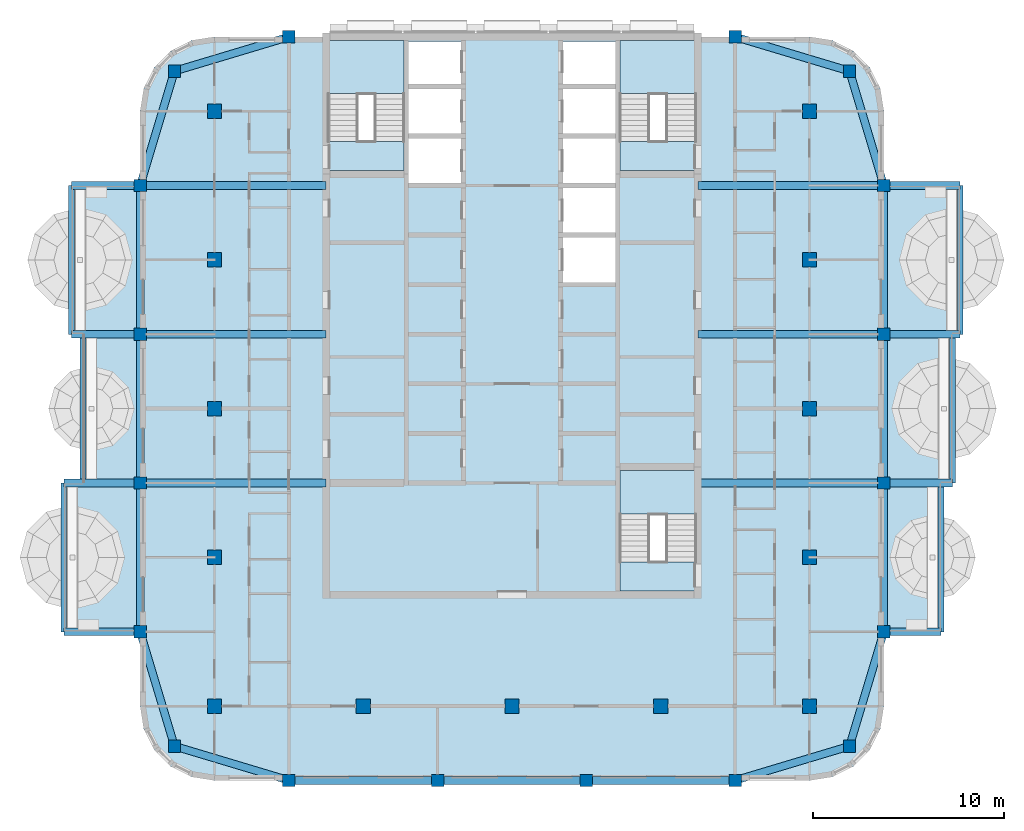
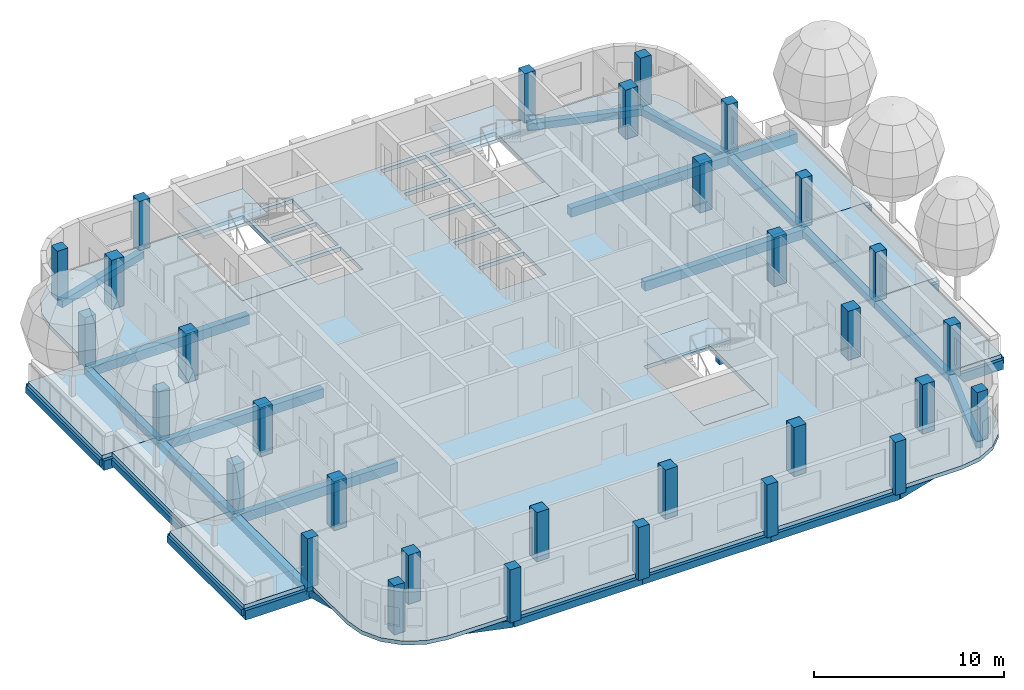
# One storey, part 1 of 13: 37 beams, 31 columns, 13 slabs, 3 elements without a shape of their own.
"""IFC4 building model written with IfcOpenShell, lengths in metres."""

import ifcopenshell
import ifcopenshell.guid

model = None  # the IFC model being written
_history = None  # IfcOwnerHistory: only IFC2X3 demands one
_inside = {}  # id of a spatial element -> (the spatial element, [elements in it])
_under = {}  # id of a project, library or spatial element -> (it, [spatial elements below it])
_declared = {}  # id of a project -> (the project, [libraries it declares])
_typed = {}  # id of a type object -> (the type object, [elements of that type])
_made_of = {}  # id of a material, layer set ... -> (it, [elements and type objects made of it])


def new_model(schema):
    """Start an empty IFC model of exactly this schema.

    Asked for "IFC4X3", IfcOpenShell would pick the latest addendum, in which some entities
    have other attributes; the version numbers below select the first issue.
    IFC2X3 requires an IfcOwnerHistory on every rooted entity: one is made here for all.
    """
    global model, _history
    if schema == "IFC4X3":
        model = ifcopenshell.file(schema_version=(4, 3, 0, 0))
    else:
        model = ifcopenshell.file(schema=schema)
    _inside.clear()
    _under.clear()
    _declared.clear()
    _typed.clear()
    _made_of.clear()
    _history = None
    if model.schema == "IFC2X3":
        org = make("IfcOrganization", Name="unknown")
        user = make(
            "IfcPersonAndOrganization",
            ThePerson=make("IfcPerson", FamilyName="unknown"),
            TheOrganization=org,
        )
        app = make(
            "IfcApplication",
            ApplicationDeveloper=org,
            Version="unknown",
            ApplicationFullName="unknown",
            ApplicationIdentifier="unknown",
        )
        _history = make(
            "IfcOwnerHistory",
            OwningUser=user,
            OwningApplication=app,
            ChangeAction="ADDED",
            CreationDate=0,
        )
    return model


def make(cls, **values):
    """One entity of the class cls with the attributes given. An attribute that is None is left unset."""
    return model.create_entity(
        cls, **{name: value for name, value in values.items() if value is not None}
    )


def rooted(cls, **values):
    """An entity with a GlobalId (a new one), such as an element, a storey or a relation."""
    return make(cls, GlobalId=ifcopenshell.guid.new(), OwnerHistory=_history, **values)


def si_unit(unit_type, name, prefix=None):
    """IfcSIUnit, for example si_unit("LENGTHUNIT", "METRE", prefix="MILLI")."""
    return make("IfcSIUnit", UnitType=unit_type, Prefix=prefix, Name=name)


def assignment(units):
    """IfcUnitAssignment: the units of a project."""
    return None if units is None else make("IfcUnitAssignment", Units=units)


def point(xyz):
    """IfcCartesianPoint."""
    return None if xyz is None else make("IfcCartesianPoint", Coordinates=xyz)


def direction(xyz):
    """IfcDirection."""
    return None if xyz is None else make("IfcDirection", DirectionRatios=xyz)


def frame(location, z_axis=None, x_axis=None):
    """IfcAxis2Placement3D, a coordinate frame: its origin and axes. An axis left out is left unset."""
    return make(
        "IfcAxis2Placement3D",
        Location=point(location),
        Axis=direction(z_axis),
        RefDirection=direction(x_axis),
    )


def frame_2d(location, x_axis=None):
    """IfcAxis2Placement2D, a coordinate frame in the plane: its origin and x axis."""
    return make(
        "IfcAxis2Placement2D", Location=point(location), RefDirection=direction(x_axis)
    )


def origin():
    """The frame at (0, 0, 0) with its axes left unset."""
    return frame((0.0, 0.0, 0.0))


def origin_2d():
    """The frame at (0, 0) in the plane with its x axis left unset."""
    return frame_2d((0.0, 0.0))


def place(relative_to, where):
    """IfcLocalPlacement: puts the frame where relative to a parent placement (None: the world)."""
    return make(
        "IfcLocalPlacement", PlacementRelTo=relative_to, RelativePlacement=where
    )


def context(
    kind, dimensions, precision=None, world=None, true_north=None, identifier=None
):
    """IfcGeometricRepresentationContext, for example the 3D "Model" context."""
    return make(
        "IfcGeometricRepresentationContext",
        ContextIdentifier=identifier,
        ContextType=kind,
        CoordinateSpaceDimension=dimensions,
        Precision=precision,
        WorldCoordinateSystem=world,
        TrueNorth=true_north,
    )


def subcontext(parent, identifier, kind, view, scale=None):
    """IfcGeometricRepresentationSubContext, for example "Body" below "Model"."""
    return make(
        "IfcGeometricRepresentationSubContext",
        ContextIdentifier=identifier,
        ContextType=kind,
        ParentContext=parent,
        TargetScale=scale,
        TargetView=view,
    )


def project(units=None, contexts=None):
    """IfcProject with its units and contexts."""
    return rooted(
        "IfcProject",
        Name="project",
        RepresentationContexts=contexts,
        UnitsInContext=assignment(units),
    )


def spatial(cls, under=None, at=None, **own):
    """A site, building, storey or space (cls), placed at a placement, below another one or the project."""
    s = rooted(cls, ObjectPlacement=at, **own)
    if under is not None:
        _under.setdefault(under.id(), (under, []))[1].append(s)
    return s


def polyline(points):
    """IfcPolyline through the points."""
    return make("IfcPolyline", Points=[point(p) for p in points])


def profile(cls, at=None, kind="AREA", **sizes):
    """A parametric profile (cls). Its sizes go by their IFC names, for example OverallWidth=200.0."""
    return make(cls, ProfileType=kind, Position=at, **sizes)


def rectangle(**sizes):
    """IfcRectangleProfileDef."""
    return profile("IfcRectangleProfileDef", **sizes)


def outline(outer, holes=None, kind="AREA"):
    """IfcArbitraryClosedProfileDef: a profile drawn as a closed curve; with holes, ...WithVoids."""
    if holes is None:
        return make("IfcArbitraryClosedProfileDef", ProfileType=kind, OuterCurve=outer)
    return make(
        "IfcArbitraryProfileDefWithVoids",
        ProfileType=kind,
        OuterCurve=outer,
        InnerCurves=holes,
    )


def extrude(swept, where, along, depth):
    """IfcExtrudedAreaSolid: the profile swept, set in the frame where, extruded along a direction by depth."""
    return make(
        "IfcExtrudedAreaSolid",
        SweptArea=swept,
        Position=where,
        ExtrudedDirection=direction(along),
        Depth=depth,
    )


def shape(context_of_items, identifier, shape_type, items):
    """IfcShapeRepresentation: the items that make up one representation, for example the "Body"."""
    return make(
        "IfcShapeRepresentation",
        ContextOfItems=context_of_items,
        RepresentationIdentifier=identifier,
        RepresentationType=shape_type,
        Items=items,
    )


def material(Name=None, Category=None):
    """IfcMaterial."""
    return make("IfcMaterial", Name=Name, Category=Category)


def layer(
    of_material, thickness, ventilated=None, Name=None, Category=None, Priority=None
):
    """IfcMaterialLayer: one layer of a wall or slab, of a material (None: an air gap)."""
    return make(
        "IfcMaterialLayer",
        Material=of_material,
        LayerThickness=thickness,
        IsVentilated=ventilated,
        Name=Name,
        Category=Category,
        Priority=Priority,
    )


def layer_set(layers, Name=None):
    """IfcMaterialLayerSet."""
    return make("IfcMaterialLayerSet", MaterialLayers=layers, LayerSetName=Name)


def material_profile(
    of_material, cross_section, Name=None, Category=None, Priority=None
):
    """IfcMaterialProfile: a cross section and its material."""
    return make(
        "IfcMaterialProfile",
        Name=Name,
        Material=of_material,
        Profile=cross_section,
        Priority=Priority,
        Category=Category,
    )


def profile_set(profiles, Name=None, composite=None):
    """IfcMaterialProfileSet."""
    return make(
        "IfcMaterialProfileSet",
        Name=Name,
        MaterialProfiles=profiles,
        CompositeProfile=composite,
    )


def made_of(thing, what):
    """Note that an element or type object is made of a material, layer set ...; save() writes the relation."""
    if what is not None:
        _made_of.setdefault(what.id(), (what, []))[1].append(thing)
    return thing


def type_object(cls, material=None, **own):
    """A type object (cls), such as IfcWallType, which elements share."""
    return made_of(rooted(cls, **own), material)


def element(
    cls,
    number,
    at=None,
    inside=None,
    cuts=None,
    type_object=None,
    material=None,
    context=None,
    identifier="Body",
    shape_type=None,
    held_by="IfcProductDefinitionShape",
    body=None,
    shapes=None,
    **own,
):
    """One element of the class cls, such as IfcWall. Its Tag is "e" and its number.

    at: its placement. inside: the storey or other place that contains it. cuts: it is an
    opening in that element (IfcRelVoidsElement). A single representation is given by context,
    identifier, shape_type and body (its items); several are given by shapes. held_by: the class
    of the entity that holds the representations. save() writes the other relations.
    """
    e = rooted(cls, Tag="e%d" % number, ObjectPlacement=at, **own)
    if body is not None:
        shapes = [shape(context, identifier, shape_type, body)]
    if shapes is not None:
        e.Representation = make(held_by, Representations=shapes)
    if inside is not None:
        _inside.setdefault(inside.id(), (inside, []))[1].append(e)
    if cuts is not None:
        rooted(
            "IfcRelVoidsElement", RelatingBuildingElement=cuts, RelatedOpeningElement=e
        )
    if type_object is not None:
        _typed.setdefault(type_object.id(), (type_object, []))[1].append(e)
    return made_of(e, material)


def aggregate(whole, parts):
    """IfcRelAggregates: a whole, such as a stair, and the parts it consists of."""
    return rooted("IfcRelAggregates", RelatingObject=whole, RelatedObjects=parts)


def save(model, path):
    """Write the relations noted so far, then the file.

    IfcRelAggregates (storeys below a building ...), IfcRelContainedInSpatialStructure (elements
    in a storey), IfcRelDefinesByType, IfcRelAssociatesMaterial and IfcRelDeclares: one each for
    every whole, place, type object, material and project.
    """
    for whole, parts in _under.values():
        aggregate(whole, parts)
    for where, things in _inside.values():
        rooted(
            "IfcRelContainedInSpatialStructure",
            RelatedElements=things,
            RelatingStructure=where,
        )
    for kind, things in _typed.values():
        rooted("IfcRelDefinesByType", RelatedObjects=things, RelatingType=kind)
    for what, things in _made_of.values():
        rooted("IfcRelAssociatesMaterial", RelatedObjects=things, RelatingMaterial=what)
    for by, libraries in _declared.values():
        rooted("IfcRelDeclares", RelatingContext=by, RelatedDefinitions=libraries)
    model.write(path)


model = new_model("IFC4")

# Units and contexts
model_context = context("Model", 3, precision=1e-05, world=origin(), true_north=direction((0.0, 1.0)))
body_context = subcontext(model_context, "Body", "Model", "MODEL_VIEW")
ifc_project = project(units=[si_unit("LENGTHUNIT", "METRE"), si_unit("AREAUNIT", "SQUARE_METRE"), si_unit("VOLUMEUNIT", "CUBIC_METRE"), si_unit("PLANEANGLEUNIT", "RADIAN"), si_unit("MASSUNIT", "GRAM", prefix="KILO")], contexts=[model_context])

# Site, building, storey
site_placement = place(None, origin())
site = spatial("IfcSite", under=ifc_project, at=site_placement, CompositionType="ELEMENT")
building_placement = place(site_placement, origin())
building = spatial("IfcBuilding", under=site, at=building_placement, Name="Ludao Terraces", CompositionType="ELEMENT")
storey_placement = place(building_placement, frame((0.0, 0.0, 259.60009765625)))
storey = spatial("IfcBuildingStorey", under=building, at=storey_placement, Name="L71", CompositionType="ELEMENT", Elevation=259.60009765625)

# Columns
ifc_material = material(Name="Concrete C40", Category="concrete")
ifc_material_profile_1 = material_profile(ifc_material, rectangle(XDim=0.64990234375, YDim=0.64990234375, at=origin_2d()), Name="650 X 650")
ifc_profile_set_1 = profile_set([ifc_material_profile_1], Name="Concrete C40")
column_type_1 = type_object("IfcColumnType", Name="RC column 650x650 C40", PredefinedType="COLUMN", material=ifc_profile_set_1)
for number, where, z_axis, x_axis, name in (
    (1, (67.300048828125, 47.300048828125, -0.25), (0.0, 0.0, 1.0), (1.0, 0.0, 0.0), "Column L71 C0057x0057"),
    (2, (102.699951171875, 47.300048828125, -0.25), (0.0, 0.0, 1.0), (1.0, 0.0, 0.0), "Column L71 C0411x0057"),
    (3, (67.300048828125, 82.699951171875, -0.25), (0.0, 0.0, 1.0), (1.0, 0.0, 0.0), "Column L71 C0057x0411"),
    (4, (102.699951171875, 82.699951171875, -0.25), (0.0, 0.0, 1.0), (1.0, 0.0, 0.0), "Column L71 C0411x0411"),
    (5, (65.5, 53.300048828125, -0.25), (0.0, 0.0, 1.0), (1.0, 0.0, 0.0), "Column L71 W0039x0117"),
    (6, (104.5, 53.300048828125, -0.25), (0.0, 0.0, 1.0), (1.0, 0.0, 0.0), "Column L71 W0429x0117"),
    (7, (73.300048828125, 45.5, -0.25), (0.0, 0.0, 1.0), (1.0, 0.0, 0.0), "Column L71 W0117x0039"),
    (8, (73.300048828125, 84.5, -0.25), (0.0, 0.0, 1.0), (1.0, 0.0, 0.0), "Column L71 W0117x0429"),
    (9, (65.5, 61.10009765625, -0.25), (0.0, 0.0, 1.0), (1.0, 0.0, 0.0), "Column L71 W0039x0195"),
    (10, (104.5, 61.10009765625, -0.25), (0.0, 0.0, 1.0), (1.0, 0.0, 0.0), "Column L71 W0429x0195"),
    (11, (81.10009765625, 45.5, -0.25), (0.0, 0.0, 1.0), (1.0, 0.0, 0.0), "Column L71 W0195x0039"),
    (12, (65.5, 68.89990234375, -0.25), (0.0, 0.0, 1.0), (1.0, 0.0, 0.0), "Column L71 W0039x0273"),
    (13, (104.5, 68.89990234375, -0.25), (0.0, 0.0, 1.0), (1.0, 0.0, 0.0), "Column L71 W0429x0273"),
    (14, (88.89990234375, 45.5, -0.25), (0.0, 0.0, 1.0), (1.0, 0.0, 0.0), "Column L71 W0273x0039"),
    (15, (65.5, 76.699951171875, -0.25), (0.0, 0.0, 1.0), (1.0, 0.0, 0.0), "Column L71 W0039x0351"),
    (16, (104.5, 76.699951171875, -0.25), (0.0, 0.0, 1.0), (1.0, 0.0, 0.0), "Column L71 W0429x0351"),
    (17, (96.699951171875, 45.5, -0.25), (0.0, 0.0, 1.0), (1.0, 0.0, 0.0), "Column L71 W0351x0039"),
    (18, (96.699951171875, 84.5, -0.25), (0.0, 0.0, 1.0), (1.0, 0.0, 0.0), "Column L71 W0351x0429"),
):
    element("IfcColumn", number, at=place(storey_placement, frame(where, z_axis=z_axis, x_axis=x_axis)), inside=storey, type_object=column_type_1, Name=name, PredefinedType="COLUMN", context=body_context, shape_type="SweptSolid", body=[
        extrude(rectangle(XDim=0.64990234375, YDim=0.64990234375, at=origin_2d()), origin(), (0.0, 0.0, 1.0), 3.39990234375),
    ])
ifc_material_profile_2 = material_profile(ifc_material, rectangle(XDim=0.75, YDim=0.75, at=origin_2d()), Name="750 X 750")
ifc_profile_set_2 = profile_set([ifc_material_profile_2], Name="Concrete C40")
column_type_2 = type_object("IfcColumnType", Name="RC column 750x750 C40", PredefinedType="COLUMN", material=ifc_profile_set_2)
for number, where, z_axis, x_axis, name in (
    (19, (69.39990234375, 49.39990234375, -0.25), (0.0, 0.0, 1.0), (1.0, 0.0, 0.0), "Column L71 S0078x0078"),
    (20, (69.39990234375, 57.199951171875, -0.25), (0.0, 0.0, 1.0), (1.0, 0.0, 0.0), "Column L71 S0078x0156"),
    (21, (69.39990234375, 65.0, -0.25), (0.0, 0.0, 1.0), (1.0, 0.0, 0.0), "Column L71 S0078x0234"),
    (22, (69.39990234375, 72.800048828125, -0.25), (0.0, 0.0, 1.0), (1.0, 0.0, 0.0), "Column L71 S0078x0312"),
    (23, (69.39990234375, 80.60009765625, -0.25), (0.0, 0.0, 1.0), (1.0, 0.0, 0.0), "Column L71 S0078x0390"),
    (24, (77.199951171875, 49.39990234375, -0.25), (0.0, 0.0, 1.0), (1.0, 0.0, 0.0), "Column L71 S0156x0078"),
    (25, (85.0, 49.39990234375, -0.25), (0.0, 0.0, 1.0), (1.0, 0.0, 0.0), "Column L71 S0234x0078"),
    (26, (92.800048828125, 49.39990234375, -0.25), (0.0, 0.0, 1.0), (1.0, 0.0, 0.0), "Column L71 S0312x0078"),
    (27, (100.60009765625, 49.39990234375, -0.25), (0.0, 0.0, 1.0), (1.0, 0.0, 0.0), "Column L71 S0390x0078"),
    (28, (100.60009765625, 57.199951171875, -0.25), (0.0, 0.0, 1.0), (1.0, 0.0, 0.0), "Column L71 S0390x0156"),
    (29, (100.60009765625, 65.0, -0.25), (0.0, 0.0, 1.0), (1.0, 0.0, 0.0), "Column L71 S0390x0234"),
    (30, (100.60009765625, 72.800048828125, -0.25), (0.0, 0.0, 1.0), (1.0, 0.0, 0.0), "Column L71 S0390x0312"),
    (31, (100.60009765625, 80.60009765625, -0.25), (0.0, 0.0, 1.0), (1.0, 0.0, 0.0), "Column L71 S0390x0390"),
):
    element("IfcColumn", number, at=place(storey_placement, frame(where, z_axis=z_axis, x_axis=x_axis)), inside=storey, type_object=column_type_2, Name=name, PredefinedType="COLUMN", context=body_context, shape_type="SweptSolid", body=[
        extrude(rectangle(XDim=0.75, YDim=0.75, at=origin_2d()), origin(), (0.0, 0.0, 1.0), 3.39990234375),
    ])

# Beams
ifc_material_profile_3 = material_profile(ifc_material, rectangle(XDim=0.300048828125, YDim=0.39990234375, at=origin_2d()), Name="300 X 400")
ifc_profile_set_3 = profile_set([ifc_material_profile_3], Name="Concrete C40")
beam_type_1 = type_object("IfcBeamType", Name="RC beam 300x400 C40", PredefinedType="BEAM", material=ifc_profile_set_3)
beam_1_placement = place(storey_placement, frame((107.5, 53.300048828125, -0.4501953125), z_axis=(0.0, 1.0, 0.0), x_axis=(-1.0, 0.0, 0.0)))
element("IfcBeam", 32, at=beam_1_placement, inside=storey, type_object=beam_type_1, Name="Balcony edge beam L71 E1", PredefinedType="BEAM", context=body_context, shape_type="SweptSolid", body=[
    extrude(rectangle(XDim=0.300048828125, YDim=0.39990234375, at=origin_2d()), origin(), (0.0, 0.0, 1.0), 7.800048828125),
])
beam_2_placement = place(storey_placement, frame((108.10009765625, 61.10009765625, -0.4501953125), z_axis=(0.0, 1.0, 0.0), x_axis=(-1.0, 0.0, 0.0)))
element("IfcBeam", 33, at=beam_2_placement, inside=storey, type_object=beam_type_1, Name="Balcony edge beam L71 E2", PredefinedType="BEAM", context=body_context, shape_type="SweptSolid", body=[
    extrude(rectangle(XDim=0.300048828125, YDim=0.39990234375, at=origin_2d()), origin(), (0.0, 0.0, 1.0), 7.7998046875),
])
for number, where, z_axis, x_axis, name in (
    (34, (108.5, 68.89990234375, -0.4501953125), (0.0, 1.0, 0.0), (-1.0, 0.0, 0.0), "Balcony edge beam L71 E3"),
    (35, (61.5, 53.300048828125, -0.4501953125), (0.0, 1.0, 0.0), (-1.0, 0.0, 0.0), "Balcony edge beam L71 W1"),
):
    element("IfcBeam", number, at=place(storey_placement, frame(where, z_axis=z_axis, x_axis=x_axis)), inside=storey, type_object=beam_type_1, Name=name, PredefinedType="BEAM", context=body_context, shape_type="SweptSolid", body=[
        extrude(rectangle(XDim=0.300048828125, YDim=0.39990234375, at=origin_2d()), origin(), (0.0, 0.0, 1.0), 7.800048828125),
    ])
beam_3_placement = place(storey_placement, frame((62.5, 61.10009765625, -0.4501953125), z_axis=(0.0, 1.0, 0.0), x_axis=(-1.0, 0.0, 0.0)))
element("IfcBeam", 36, at=beam_3_placement, inside=storey, type_object=beam_type_1, Name="Balcony edge beam L71 W2", PredefinedType="BEAM", context=body_context, shape_type="SweptSolid", body=[
    extrude(rectangle(XDim=0.300048828125, YDim=0.39990234375, at=origin_2d()), origin(), (0.0, 0.0, 1.0), 7.7998046875),
])
beam_4_placement = place(storey_placement, frame((61.89990234375, 68.89990234375, -0.4501953125), z_axis=(0.0, 1.0, 0.0), x_axis=(-1.0, 0.0, 0.0)))
element("IfcBeam", 37, at=beam_4_placement, inside=storey, type_object=beam_type_1, Name="Balcony edge beam L71 W3", PredefinedType="BEAM", context=body_context, shape_type="SweptSolid", body=[
    extrude(rectangle(XDim=0.300048828125, YDim=0.39990234375, at=origin_2d()), origin(), (0.0, 0.0, 1.0), 7.800048828125),
])
ifc_material_profile_4 = material_profile(ifc_material, rectangle(XDim=0.39990234375, YDim=0.449951171875, at=origin_2d()), Name="400 X 450")
ifc_profile_set_4 = profile_set([ifc_material_profile_4], Name="Concrete C40")
beam_type_2 = type_object("IfcBeamType", Name="RC beam 400x450 C40", PredefinedType="BEAM", material=ifc_profile_set_4)
beam_5_placement = place(storey_placement, frame((67.300048828125, 47.300048828125, -0.47509765625), z_axis=(0.957824139839, -0.287355036744, 0.0), x_axis=(0.287355036744, 0.957824139839, 0.0)))
element("IfcBeam", 38, at=beam_5_placement, inside=storey, type_object=beam_type_2, Name="Spandrel beam L71 S1", PredefinedType="BEAM", context=body_context, shape_type="SweptSolid", body=[
    extrude(rectangle(XDim=0.39990234375, YDim=0.449951171875, at=origin_2d()), origin(), (0.0, 0.0, 1.0), 6.26416015625),
])
beam_6_placement = place(storey_placement, frame((73.300048828125, 45.5, -0.47509765625), z_axis=(1.0, 0.0, 0.0), x_axis=(0.0, 1.0, 0.0)))
element("IfcBeam", 39, at=beam_6_placement, inside=storey, type_object=beam_type_2, Name="Spandrel beam L71 S2", PredefinedType="BEAM", context=body_context, shape_type="SweptSolid", body=[
    extrude(rectangle(XDim=0.39990234375, YDim=0.449951171875, at=origin_2d()), origin(), (0.0, 0.0, 1.0), 7.800048828125),
])
beam_7_placement = place(storey_placement, frame((81.10009765625, 45.5, -0.47509765625), z_axis=(1.0, 0.0, 0.0), x_axis=(0.0, 1.0, 0.0)))
element("IfcBeam", 40, at=beam_7_placement, inside=storey, type_object=beam_type_2, Name="Spandrel beam L71 S3", PredefinedType="BEAM", context=body_context, shape_type="SweptSolid", body=[
    extrude(rectangle(XDim=0.39990234375, YDim=0.449951171875, at=origin_2d()), origin(), (0.0, 0.0, 1.0), 7.7998046875),
])
beam_8_placement = place(storey_placement, frame((88.89990234375, 45.5, -0.47509765625), z_axis=(1.0, 0.0, 0.0), x_axis=(0.0, 1.0, 0.0)))
element("IfcBeam", 41, at=beam_8_placement, inside=storey, type_object=beam_type_2, Name="Spandrel beam L71 S4", PredefinedType="BEAM", context=body_context, shape_type="SweptSolid", body=[
    extrude(rectangle(XDim=0.39990234375, YDim=0.449951171875, at=origin_2d()), origin(), (0.0, 0.0, 1.0), 7.800048828125),
])
for number, where, z_axis, x_axis, name in (
    (42, (96.699951171875, 45.5, -0.47509765625), (0.957824139839, 0.287355036744, 0.0), (-0.287355036744, 0.957824139839, 0.0), "Spandrel beam L71 S5"),
    (43, (67.300048828125, 82.699951171875, -0.47509765625), (0.957824139839, 0.287355036744, 0.0), (-0.287355036744, 0.957824139839, 0.0), "Spandrel beam L71 N6"),
    (44, (96.699951171875, 84.5, -0.47509765625), (0.957824139839, -0.287355036744, 0.0), (0.287355036744, 0.957824139839, 0.0), "Spandrel beam L71 N7"),
    (45, (67.300048828125, 47.300048828125, -0.47509765625), (-0.287355036744, 0.957824139839, 0.0), (-0.957824139839, -0.287355036744, 0.0), "Spandrel beam L71 W8"),
):
    element("IfcBeam", number, at=place(storey_placement, frame(where, z_axis=z_axis, x_axis=x_axis)), inside=storey, type_object=beam_type_2, Name=name, PredefinedType="BEAM", context=body_context, shape_type="SweptSolid", body=[
        extrude(rectangle(XDim=0.39990234375, YDim=0.449951171875, at=origin_2d()), origin(), (0.0, 0.0, 1.0), 6.26416015625),
    ])
beam_9_placement = place(storey_placement, frame((65.5, 53.300048828125, -0.47509765625), z_axis=(0.0, 1.0, 0.0), x_axis=(-1.0, 0.0, 0.0)))
element("IfcBeam", 46, at=beam_9_placement, inside=storey, type_object=beam_type_2, Name="Spandrel beam L71 W9", PredefinedType="BEAM", context=body_context, shape_type="SweptSolid", body=[
    extrude(rectangle(XDim=0.39990234375, YDim=0.449951171875, at=origin_2d()), origin(), (0.0, 0.0, 1.0), 7.800048828125),
])
beam_10_placement = place(storey_placement, frame((65.5, 61.10009765625, -0.47509765625), z_axis=(0.0, 1.0, 0.0), x_axis=(-1.0, 0.0, 0.0)))
element("IfcBeam", 47, at=beam_10_placement, inside=storey, type_object=beam_type_2, Name="Spandrel beam L71 W10", PredefinedType="BEAM", context=body_context, shape_type="SweptSolid", body=[
    extrude(rectangle(XDim=0.39990234375, YDim=0.449951171875, at=origin_2d()), origin(), (0.0, 0.0, 1.0), 7.7998046875),
])
beam_11_placement = place(storey_placement, frame((65.5, 68.89990234375, -0.47509765625), z_axis=(0.0, 1.0, 0.0), x_axis=(-1.0, 0.0, 0.0)))
element("IfcBeam", 48, at=beam_11_placement, inside=storey, type_object=beam_type_2, Name="Spandrel beam L71 W11", PredefinedType="BEAM", context=body_context, shape_type="SweptSolid", body=[
    extrude(rectangle(XDim=0.39990234375, YDim=0.449951171875, at=origin_2d()), origin(), (0.0, 0.0, 1.0), 7.800048828125),
])
for number, where, z_axis, x_axis, name in (
    (49, (65.5, 76.699951171875, -0.47509765625), (0.287355036744, 0.957824139839, 0.0), (-0.957824139839, 0.287355036744, 0.0), "Spandrel beam L71 W12"),
    (50, (102.699951171875, 47.300048828125, -0.47509765625), (0.287355036744, 0.957824139839, 0.0), (-0.957824139839, 0.287355036744, 0.0), "Spandrel beam L71 E13"),
):
    element("IfcBeam", number, at=place(storey_placement, frame(where, z_axis=z_axis, x_axis=x_axis)), inside=storey, type_object=beam_type_2, Name=name, PredefinedType="BEAM", context=body_context, shape_type="SweptSolid", body=[
        extrude(rectangle(XDim=0.39990234375, YDim=0.449951171875, at=origin_2d()), origin(), (0.0, 0.0, 1.0), 6.26416015625),
    ])
beam_12_placement = place(storey_placement, frame((104.5, 53.300048828125, -0.47509765625), z_axis=(0.0, 1.0, 0.0), x_axis=(-1.0, 0.0, 0.0)))
element("IfcBeam", 51, at=beam_12_placement, inside=storey, type_object=beam_type_2, Name="Spandrel beam L71 E14", PredefinedType="BEAM", context=body_context, shape_type="SweptSolid", body=[
    extrude(rectangle(XDim=0.39990234375, YDim=0.449951171875, at=origin_2d()), origin(), (0.0, 0.0, 1.0), 7.800048828125),
])
beam_13_placement = place(storey_placement, frame((104.5, 61.10009765625, -0.47509765625), z_axis=(0.0, 1.0, 0.0), x_axis=(-1.0, 0.0, 0.0)))
element("IfcBeam", 52, at=beam_13_placement, inside=storey, type_object=beam_type_2, Name="Spandrel beam L71 E15", PredefinedType="BEAM", context=body_context, shape_type="SweptSolid", body=[
    extrude(rectangle(XDim=0.39990234375, YDim=0.449951171875, at=origin_2d()), origin(), (0.0, 0.0, 1.0), 7.7998046875),
])
beam_14_placement = place(storey_placement, frame((104.5, 68.89990234375, -0.47509765625), z_axis=(0.0, 1.0, 0.0), x_axis=(-1.0, 0.0, 0.0)))
element("IfcBeam", 53, at=beam_14_placement, inside=storey, type_object=beam_type_2, Name="Spandrel beam L71 E16", PredefinedType="BEAM", context=body_context, shape_type="SweptSolid", body=[
    extrude(rectangle(XDim=0.39990234375, YDim=0.449951171875, at=origin_2d()), origin(), (0.0, 0.0, 1.0), 7.800048828125),
])
beam_15_placement = place(storey_placement, frame((104.5, 76.699951171875, -0.47509765625), z_axis=(-0.287355036744, 0.957824139839, 0.0), x_axis=(-0.957824139839, -0.287355036744, 0.0)))
element("IfcBeam", 54, at=beam_15_placement, inside=storey, type_object=beam_type_2, Name="Spandrel beam L71 E17", PredefinedType="BEAM", context=body_context, shape_type="SweptSolid", body=[
    extrude(rectangle(XDim=0.39990234375, YDim=0.449951171875, at=origin_2d()), origin(), (0.0, 0.0, 1.0), 6.26416015625),
])
ifc_material_profile_5 = material_profile(ifc_material, rectangle(XDim=0.39990234375, YDim=0.60009765625, at=origin_2d()), Name="400 X 600")
ifc_profile_set_5 = profile_set([ifc_material_profile_5], Name="Concrete C40")
beam_type_3 = type_object("IfcBeamType", Name="RC beam 400x600 C40", PredefinedType="BEAM", material=ifc_profile_set_5)
beam_16_placement = place(storey_placement, frame((104.5, 53.300048828125, -0.550048828125), z_axis=(1.0, 0.0, 0.0), x_axis=(0.0, 1.0, 0.0)))
element("IfcBeam", 55, at=beam_16_placement, inside=storey, type_object=beam_type_3, Name="Balcony beam L71 E533", PredefinedType="BEAM", context=body_context, shape_type="SweptSolid", body=[
    extrude(rectangle(XDim=0.39990234375, YDim=0.60009765625, at=origin_2d()), origin(), (0.0, 0.0, 1.0), 3.0),
])
beam_17_placement = place(storey_placement, frame((94.75, 61.10009765625, -0.550048828125), z_axis=(1.0, 0.0, 0.0), x_axis=(0.0, 1.0, 0.0)))
element("IfcBeam", 56, at=beam_17_placement, inside=storey, type_object=beam_type_3, Name="Balcony beam L71 E611", PredefinedType="BEAM", context=body_context, shape_type="SweptSolid", body=[
    extrude(rectangle(XDim=0.39990234375, YDim=0.60009765625, at=origin_2d()), origin(), (0.0, 0.0, 1.0), 9.75),
])
beam_18_placement = place(storey_placement, frame((104.5, 61.10009765625, -0.550048828125), z_axis=(1.0, 0.0, 0.0), x_axis=(0.0, 1.0, 0.0)))
element("IfcBeam", 57, at=beam_18_placement, inside=storey, type_object=beam_type_3, Name="Balcony beam L71 E611", PredefinedType="BEAM", context=body_context, shape_type="SweptSolid", body=[
    extrude(rectangle(XDim=0.39990234375, YDim=0.60009765625, at=origin_2d()), origin(), (0.0, 0.0, 1.0), 3.60009765625),
])
beam_19_placement = place(storey_placement, frame((94.75, 68.89990234375, -0.550048828125), z_axis=(1.0, 0.0, 0.0), x_axis=(0.0, 1.0, 0.0)))
element("IfcBeam", 58, at=beam_19_placement, inside=storey, type_object=beam_type_3, Name="Balcony beam L71 E689", PredefinedType="BEAM", context=body_context, shape_type="SweptSolid", body=[
    extrude(rectangle(XDim=0.39990234375, YDim=0.60009765625, at=origin_2d()), origin(), (0.0, 0.0, 1.0), 9.75),
])
beam_20_placement = place(storey_placement, frame((104.5, 68.89990234375, -0.550048828125), z_axis=(1.0, 0.0, 0.0), x_axis=(0.0, 1.0, 0.0)))
element("IfcBeam", 59, at=beam_20_placement, inside=storey, type_object=beam_type_3, Name="Balcony beam L71 E689", PredefinedType="BEAM", context=body_context, shape_type="SweptSolid", body=[
    extrude(rectangle(XDim=0.39990234375, YDim=0.60009765625, at=origin_2d()), origin(), (0.0, 0.0, 1.0), 4.0),
])
beam_21_placement = place(storey_placement, frame((94.75, 76.699951171875, -0.550048828125), z_axis=(1.0, 0.0, 0.0), x_axis=(0.0, 1.0, 0.0)))
element("IfcBeam", 60, at=beam_21_placement, inside=storey, type_object=beam_type_3, Name="Balcony beam L71 E767", PredefinedType="BEAM", context=body_context, shape_type="SweptSolid", body=[
    extrude(rectangle(XDim=0.39990234375, YDim=0.60009765625, at=origin_2d()), origin(), (0.0, 0.0, 1.0), 9.75),
])
for number, where, z_axis, x_axis, name in (
    (61, (104.5, 76.699951171875, -0.550048828125), (1.0, 0.0, 0.0), (0.0, 1.0, 0.0), "Balcony beam L71 E767"),
    (62, (65.5, 53.300048828125, -0.550048828125), (-1.0, 0.0, 0.0), (0.0, -1.0, 0.0), "Balcony beam L71 W533"),
):
    element("IfcBeam", number, at=place(storey_placement, frame(where, z_axis=z_axis, x_axis=x_axis)), inside=storey, type_object=beam_type_3, Name=name, PredefinedType="BEAM", context=body_context, shape_type="SweptSolid", body=[
        extrude(rectangle(XDim=0.39990234375, YDim=0.60009765625, at=origin_2d()), origin(), (0.0, 0.0, 1.0), 4.0),
    ])
beam_22_placement = place(storey_placement, frame((75.25, 61.10009765625, -0.550048828125), z_axis=(-1.0, 0.0, 0.0), x_axis=(0.0, -1.0, 0.0)))
element("IfcBeam", 63, at=beam_22_placement, inside=storey, type_object=beam_type_3, Name="Balcony beam L71 W611", PredefinedType="BEAM", context=body_context, shape_type="SweptSolid", body=[
    extrude(rectangle(XDim=0.39990234375, YDim=0.60009765625, at=origin_2d()), origin(), (0.0, 0.0, 1.0), 9.75),
])
beam_23_placement = place(storey_placement, frame((65.5, 61.10009765625, -0.550048828125), z_axis=(-1.0, 0.0, 0.0), x_axis=(0.0, -1.0, 0.0)))
element("IfcBeam", 64, at=beam_23_placement, inside=storey, type_object=beam_type_3, Name="Balcony beam L71 W611", PredefinedType="BEAM", context=body_context, shape_type="SweptSolid", body=[
    extrude(rectangle(XDim=0.39990234375, YDim=0.60009765625, at=origin_2d()), origin(), (0.0, 0.0, 1.0), 4.0),
])
beam_24_placement = place(storey_placement, frame((75.25, 68.89990234375, -0.550048828125), z_axis=(-1.0, 0.0, 0.0), x_axis=(0.0, -1.0, 0.0)))
element("IfcBeam", 65, at=beam_24_placement, inside=storey, type_object=beam_type_3, Name="Balcony beam L71 W689", PredefinedType="BEAM", context=body_context, shape_type="SweptSolid", body=[
    extrude(rectangle(XDim=0.39990234375, YDim=0.60009765625, at=origin_2d()), origin(), (0.0, 0.0, 1.0), 9.75),
])
beam_25_placement = place(storey_placement, frame((65.5, 68.89990234375, -0.550048828125), z_axis=(-1.0, 0.0, 0.0), x_axis=(0.0, -1.0, 0.0)))
element("IfcBeam", 66, at=beam_25_placement, inside=storey, type_object=beam_type_3, Name="Balcony beam L71 W689", PredefinedType="BEAM", context=body_context, shape_type="SweptSolid", body=[
    extrude(rectangle(XDim=0.39990234375, YDim=0.60009765625, at=origin_2d()), origin(), (0.0, 0.0, 1.0), 3.60009765625),
])
beam_26_placement = place(storey_placement, frame((75.25, 76.699951171875, -0.550048828125), z_axis=(-1.0, 0.0, 0.0), x_axis=(0.0, -1.0, 0.0)))
element("IfcBeam", 67, at=beam_26_placement, inside=storey, type_object=beam_type_3, Name="Balcony beam L71 W767", PredefinedType="BEAM", context=body_context, shape_type="SweptSolid", body=[
    extrude(rectangle(XDim=0.39990234375, YDim=0.60009765625, at=origin_2d()), origin(), (0.0, 0.0, 1.0), 9.75),
])
beam_27_placement = place(storey_placement, frame((65.5, 76.699951171875, -0.550048828125), z_axis=(-1.0, 0.0, 0.0), x_axis=(0.0, -1.0, 0.0)))
element("IfcBeam", 68, at=beam_27_placement, inside=storey, type_object=beam_type_3, Name="Balcony beam L71 W767", PredefinedType="BEAM", context=body_context, shape_type="SweptSolid", body=[
    extrude(rectangle(XDim=0.39990234375, YDim=0.60009765625, at=origin_2d()), origin(), (0.0, 0.0, 1.0), 3.60009765625),
])

# Slabs
ifc_layer_1 = layer(ifc_material, 0.25)
ifc_layer_set_1 = layer_set([ifc_layer_1], Name="Balcony slab 250 C40")
slab_type_1 = type_object("IfcSlabType", Name="Balcony slab 250 C40", PredefinedType="USERDEFINED", material=ifc_layer_set_1)
slab_1_placement = place(storey_placement, frame((0.0, 0.0, -0.25)))
element("IfcSlab", 69, at=slab_1_placement, inside=storey, type_object=slab_type_1, Name="Balcony L71 E1", ObjectType="BALCONY", PredefinedType="USERDEFINED", context=body_context, shape_type="SweptSolid", body=[
    extrude(outline(polyline([(104.5, 53.300048828125), (107.5, 53.300048828125), (107.5, 61.10009765625), (104.5, 61.10009765625), (104.5, 53.300048828125)])), origin(), (0.0, 0.0, 1.0), 0.25),
])
slab_2_placement = place(storey_placement, frame((0.0, 0.0, -0.25)))
element("IfcSlab", 70, at=slab_2_placement, inside=storey, type_object=slab_type_1, Name="Balcony L71 E2", ObjectType="BALCONY", PredefinedType="USERDEFINED", context=body_context, shape_type="SweptSolid", body=[
    extrude(outline(polyline([(104.5, 61.10009765625), (108.10009765625, 61.10009765625), (108.10009765625, 68.89990234375), (104.5, 68.89990234375), (104.5, 61.10009765625)])), origin(), (0.0, 0.0, 1.0), 0.25),
])
slab_3_placement = place(storey_placement, frame((0.0, 0.0, -0.25)))
element("IfcSlab", 71, at=slab_3_placement, inside=storey, type_object=slab_type_1, Name="Balcony L71 E3", ObjectType="BALCONY", PredefinedType="USERDEFINED", context=body_context, shape_type="SweptSolid", body=[
    extrude(outline(polyline([(104.5, 68.89990234375), (108.5, 68.89990234375), (108.5, 76.699951171875), (104.5, 76.699951171875), (104.5, 68.89990234375)])), origin(), (0.0, 0.0, 1.0), 0.25),
])
slab_4_placement = place(storey_placement, frame((0.0, 0.0, -0.25)))
element("IfcSlab", 72, at=slab_4_placement, inside=storey, type_object=slab_type_1, Name="Balcony L71 W1", ObjectType="BALCONY", PredefinedType="USERDEFINED", context=body_context, shape_type="SweptSolid", body=[
    extrude(outline(polyline([(61.5, 53.300048828125), (65.5, 53.300048828125), (65.5, 61.10009765625), (61.5, 61.10009765625), (61.5, 53.300048828125)])), origin(), (0.0, 0.0, 1.0), 0.25),
])
slab_5_placement = place(storey_placement, frame((0.0, 0.0, -0.25)))
element("IfcSlab", 73, at=slab_5_placement, inside=storey, type_object=slab_type_1, Name="Balcony L71 W2", ObjectType="BALCONY", PredefinedType="USERDEFINED", context=body_context, shape_type="SweptSolid", body=[
    extrude(outline(polyline([(62.5, 61.10009765625), (65.5, 61.10009765625), (65.5, 68.89990234375), (62.5, 68.89990234375), (62.5, 61.10009765625)])), origin(), (0.0, 0.0, 1.0), 0.25),
])
slab_6_placement = place(storey_placement, frame((0.0, 0.0, -0.25)))
element("IfcSlab", 74, at=slab_6_placement, inside=storey, type_object=slab_type_1, Name="Balcony L71 W3", ObjectType="BALCONY", PredefinedType="USERDEFINED", context=body_context, shape_type="SweptSolid", body=[
    extrude(outline(polyline([(61.89990234375, 68.89990234375), (65.5, 68.89990234375), (65.5, 76.699951171875), (61.89990234375, 76.699951171875), (61.89990234375, 68.89990234375)])), origin(), (0.0, 0.0, 1.0), 0.25),
])
ifc_layer_2 = layer(ifc_material, 0.25)
ifc_layer_set_2 = layer_set([ifc_layer_2], Name="Floor slab 250 C40")
slab_type_2 = type_object("IfcSlabType", Name="Floor slab 250 C40", PredefinedType="FLOOR", material=ifc_layer_set_2)
slab_7_placement = place(storey_placement, frame((0.0, 0.0, -0.25)))
element("IfcSlab", 75, at=slab_7_placement, inside=storey, type_object=slab_type_2, Name="Slab L71", PredefinedType="FLOOR", context=body_context, shape_type="SweptSolid", body=[
    extrude(outline(polyline([(100.60009765625, 45.5), (101.80517578125, 45.69091796875), (102.892333984375, 46.244873046875), (103.755126953125, 47.107666015625), (104.30908203125, 48.19482421875), (104.5, 49.39990234375), (104.5, 80.60009765625), (104.30908203125, 81.80517578125), (103.755126953125, 82.892333984375), (102.892333984375, 83.755126953125), (101.80517578125, 84.30908203125), (100.60009765625, 84.5), (69.39990234375, 84.5), (68.19482421875, 84.30908203125), (67.107666015625, 83.755126953125), (66.244873046875, 82.892333984375), (65.69091796875, 81.80517578125), (65.5, 80.60009765625), (65.5, 49.39990234375), (65.69091796875, 48.19482421875), (66.244873046875, 47.107666015625), (67.107666015625, 46.244873046875), (68.19482421875, 45.69091796875), (69.39990234375, 45.5), (100.60009765625, 45.5)]), holes=[polyline([(79.574951171875, 76.824951171875), (82.324951171875, 76.824951171875), (82.324951171875, 79.175048828125), (79.574951171875, 79.175048828125), (79.574951171875, 76.824951171875)]), polyline([(79.574951171875, 79.425048828125), (82.324951171875, 79.425048828125), (82.324951171875, 81.77490234375), (79.574951171875, 81.77490234375), (79.574951171875, 79.425048828125)]), polyline([(79.574951171875, 82.02490234375), (82.324951171875, 82.02490234375), (82.324951171875, 84.239990234375), (79.574951171875, 84.239990234375), (79.574951171875, 82.02490234375)]), polyline([(87.675048828125, 71.625), (90.425048828125, 71.625), (90.425048828125, 73.97509765625), (87.675048828125, 73.97509765625), (87.675048828125, 71.625)]), polyline([(87.675048828125, 74.22509765625), (90.425048828125, 74.22509765625), (90.425048828125, 76.574951171875), (87.675048828125, 76.574951171875), (87.675048828125, 74.22509765625)]), polyline([(87.675048828125, 76.824951171875), (90.425048828125, 76.824951171875), (90.425048828125, 79.175048828125), (87.675048828125, 79.175048828125), (87.675048828125, 76.824951171875)]), polyline([(87.675048828125, 79.425048828125), (90.425048828125, 79.425048828125), (90.425048828125, 81.77490234375), (87.675048828125, 81.77490234375), (87.675048828125, 79.425048828125)]), polyline([(87.675048828125, 82.02490234375), (90.425048828125, 82.02490234375), (90.425048828125, 84.239990234375), (87.675048828125, 84.239990234375), (87.675048828125, 82.02490234375)]), polyline([(75.375, 77.5), (79.324951171875, 77.5), (79.324951171875, 84.239990234375), (75.375, 84.239990234375), (75.375, 77.5)]), polyline([(90.675048828125, 77.5), (94.625, 77.5), (94.625, 84.239990234375), (90.675048828125, 84.239990234375), (90.675048828125, 77.5)]), polyline([(90.675048828125, 55.449951171875), (94.625, 55.449951171875), (94.625, 61.75), (90.675048828125, 61.75), (90.675048828125, 55.449951171875)])]), origin(), (0.0, 0.0, 1.0), 0.25),
])

# Stair, slabs
stair_type = type_object("IfcStairType", Name="INT Stair", PredefinedType="HALF_TURN_STAIR", material=ifc_material)
stair_1_placement = place(storey_placement, origin())
stair_1 = element("IfcStair", 76, at=stair_1_placement, inside=storey, type_object=stair_type, Name="EXIT STAIR 1", PredefinedType="HALF_TURN_STAIR")
ifc_layer_3 = layer(ifc_material, 0.199951171875)
ifc_layer_set_3 = layer_set([ifc_layer_3], Name="INT Stair landing 200")
slab_type_3 = type_object("IfcSlabType", Name="INT Stair landing 200", PredefinedType="LANDING", material=ifc_layer_set_3)
slab_8_placement = place(storey_placement, frame((0.0, 0.0, 1.5)))
slab_8 = element("IfcSlab", 77, at=slab_8_placement, type_object=slab_type_3, Name="ST1 landing 1", PredefinedType="LANDING", context=body_context, shape_type="SweptSolid", body=[
    extrude(outline(polyline([(75.375, 81.52001953125), (79.324951171875, 81.52001953125), (79.324951171875, 84.300048828125), (75.375, 84.300048828125), (75.375, 81.52001953125)])), origin(), (0.0, 0.0, 1.0), 0.199951171875),
])
slab_9_placement = place(storey_placement, frame((0.0, 0.0, -0.2001953125)))
slab_9 = element("IfcSlab", 78, at=slab_9_placement, type_object=slab_type_3, Name="ST1 landing 2", PredefinedType="LANDING", context=body_context, shape_type="SweptSolid", body=[
    extrude(outline(polyline([(75.375, 77.5), (79.324951171875, 77.5), (79.324951171875, 79.0), (75.375, 79.0), (75.375, 77.5)])), origin(), (0.0, 0.0, 1.0), 0.2001953125),
])
aggregate(stair_1, [slab_8, slab_9])

stair_2_placement = place(storey_placement, origin())
stair_2 = element("IfcStair", 79, at=stair_2_placement, inside=storey, type_object=stair_type, Name="EXIT STAIR 2", PredefinedType="HALF_TURN_STAIR")
slab_10_placement = place(storey_placement, frame((0.0, 0.0, 1.5)))
slab_10 = element("IfcSlab", 80, at=slab_10_placement, type_object=slab_type_3, Name="ST2 landing 1", PredefinedType="LANDING", context=body_context, shape_type="SweptSolid", body=[
    extrude(outline(polyline([(90.675048828125, 81.52001953125), (94.625, 81.52001953125), (94.625, 84.300048828125), (90.675048828125, 84.300048828125), (90.675048828125, 81.52001953125)])), origin(), (0.0, 0.0, 1.0), 0.199951171875),
])
slab_11_placement = place(storey_placement, frame((0.0, 0.0, -0.2001953125)))
slab_11 = element("IfcSlab", 81, at=slab_11_placement, type_object=slab_type_3, Name="ST2 landing 2", PredefinedType="LANDING", context=body_context, shape_type="SweptSolid", body=[
    extrude(outline(polyline([(90.675048828125, 77.5), (94.625, 77.5), (94.625, 79.0), (90.675048828125, 79.0), (90.675048828125, 77.5)])), origin(), (0.0, 0.0, 1.0), 0.2001953125),
])
aggregate(stair_2, [slab_10, slab_11])

stair_3_placement = place(storey_placement, origin())
stair_3 = element("IfcStair", 82, at=stair_3_placement, inside=storey, type_object=stair_type, Name="EXIT STAIR 3", PredefinedType="HALF_TURN_STAIR")
slab_12_placement = place(storey_placement, frame((0.0, 0.0, 1.5)))
slab_12 = element("IfcSlab", 83, at=slab_12_placement, type_object=slab_type_3, Name="ST3 landing 1", PredefinedType="LANDING", context=body_context, shape_type="SweptSolid", body=[
    extrude(outline(polyline([(90.675048828125, 59.469970703125), (94.625, 59.469970703125), (94.625, 61.75), (90.675048828125, 61.75), (90.675048828125, 59.469970703125)])), origin(), (0.0, 0.0, 1.0), 0.199951171875),
])
slab_13_placement = place(storey_placement, frame((0.0, 0.0, -0.2001953125)))
slab_13 = element("IfcSlab", 84, at=slab_13_placement, type_object=slab_type_3, Name="ST3 landing 2", PredefinedType="LANDING", context=body_context, shape_type="SweptSolid", body=[
    extrude(outline(polyline([(90.675048828125, 55.449951171875), (94.625, 55.449951171875), (94.625, 56.949951171875), (90.675048828125, 56.949951171875), (90.675048828125, 55.449951171875)])), origin(), (0.0, 0.0, 1.0), 0.2001953125),
])
aggregate(stair_3, [slab_12, slab_13])

save(model, "model.ifc")
